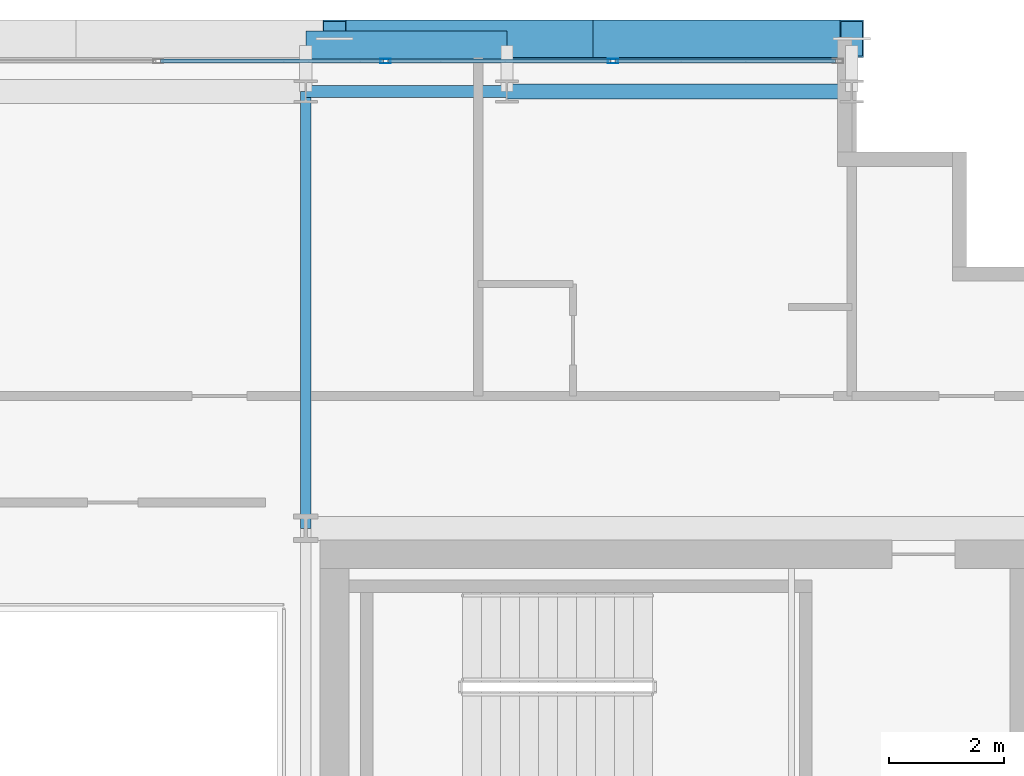
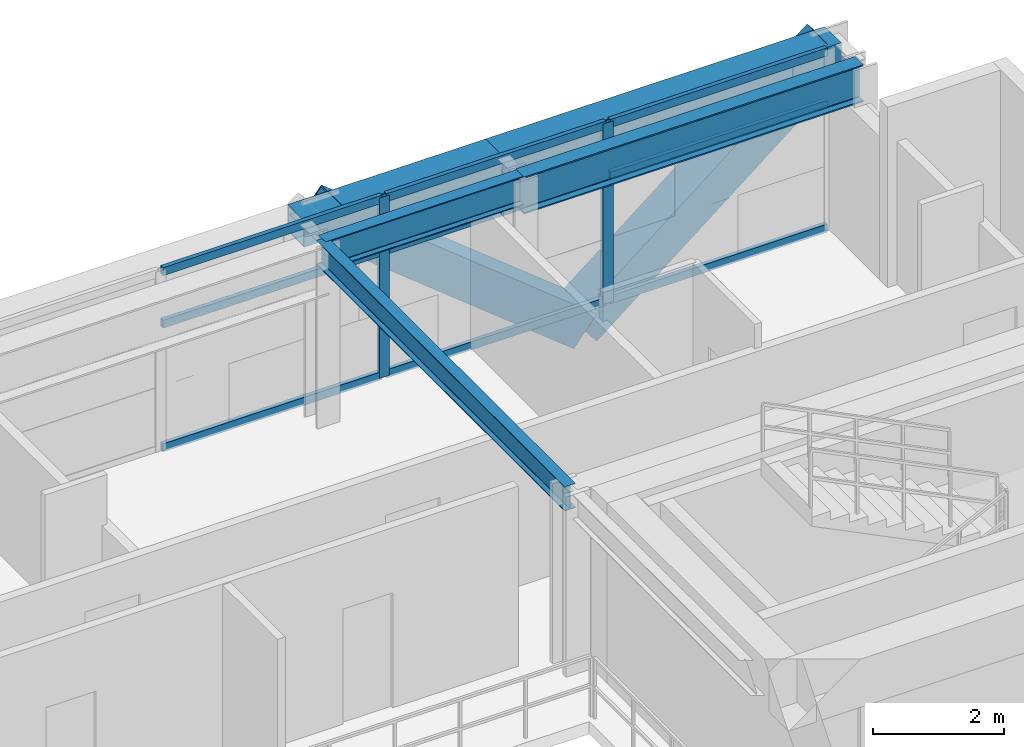
# One storey, part 18 of 32: 13 members, 5 beams, 1 element without a shape of its own.
"""IFC4 building model written with IfcOpenShell, lengths in metres."""

from ifc_helpers import new_model, si_unit, direction, frame, origin, origin_2d, place, context, subcontext, project, spatial, hollow_rectangle, i_section, extrude, source, transform, mapped, material, layer, layer_set, material_profile, profile_set, type_object, element, aggregate, save


model = new_model("IFC4")

# Units and contexts
model_context = context("Model", 3, precision=1e-05, world=origin(), true_north=direction((0.0, 1.0)))
body_context = subcontext(model_context, "Body", "Model", "MODEL_VIEW")
ifc_project = project(units=[si_unit("LENGTHUNIT", "METRE"), si_unit("AREAUNIT", "SQUARE_METRE"), si_unit("VOLUMEUNIT", "CUBIC_METRE"), si_unit("PLANEANGLEUNIT", "RADIAN"), si_unit("MASSUNIT", "GRAM", prefix="KILO")], contexts=[model_context])

# Site, building, storey
site_placement = place(None, origin())
site = spatial("IfcSite", under=ifc_project, at=site_placement, CompositionType="ELEMENT")
building_placement = place(site_placement, origin())
building = spatial("IfcBuilding", under=site, at=building_placement, Name="Ocotamira Hotel", CompositionType="ELEMENT")
storey_placement = place(building_placement, frame((0.0, 0.0, 213.60009765625)))
storey = spatial("IfcBuildingStorey", under=building, at=storey_placement, Name="L54", CompositionType="ELEMENT", Elevation=213.60009765625)

# Beams
ifc_material_1 = material(Name="Steel ASTM A992 Grade 50", Category="steel")
ifc_material_profile_1 = material_profile(ifc_material_1, i_section(OverallWidth=0.256103515625, OverallDepth=0.693115234375, WebThickness=0.014404296875, FlangeThickness=0.023681640625, FilletRadius=0.01611328125, at=origin_2d()), Name="W27X114")
ifc_profile_set_1 = profile_set([ifc_material_profile_1], Name="Steel ASTM A992 Grade 50")
beam_type_1 = type_object("IfcBeamType", Name="BM-PRIM-W27X114", PredefinedType="BEAM", material=ifc_profile_set_1)
shared_shape_1 = source(origin(), body_context, "Body", "SweptSolid", [
    extrude(i_section(OverallWidth=0.256103515625, OverallDepth=0.693115234375, WebThickness=0.014404296875, FlangeThickness=0.023681640625, FilletRadius=0.01611328125, at=origin_2d()), origin(), (0.0, 0.0, 1.0), 6.0),
])
beam_1_placement = place(storey_placement, frame((44.0, 45.050048828125, 3.0234375), z_axis=(1.0, 0.0, 0.0), x_axis=(0.0, 1.0, 0.0)))
element("IfcBeam", 1, at=beam_1_placement, inside=storey, type_object=beam_type_1, Name="L54 Girder Y45.05 X44-50", PredefinedType="BEAM", context=body_context, shape_type="MappedRepresentation", body=[
    mapped(shared_shape_1, transform((0.0, 0.0, 0.0), scale=1.0)),
])
ifc_material_profile_2 = material_profile(ifc_material_1, i_section(OverallWidth=0.2099609375, OverallDepth=0.537109375, WebThickness=0.010986328125, FlangeThickness=0.017333984375, FilletRadius=0.012939453125, at=origin_2d()), Name="W21X68")
ifc_profile_set_2 = profile_set([ifc_material_profile_2], Name="Steel ASTM A992 Grade 50")
beam_type_2 = type_object("IfcBeamType", Name="BM-SEC-W21X68", PredefinedType="JOIST", material=ifc_profile_set_2)
shared_shape_2 = source(origin(), body_context, "Body", "SweptSolid", [
    extrude(i_section(OverallWidth=0.2099609375, OverallDepth=0.537109375, WebThickness=0.010986328125, FlangeThickness=0.017333984375, FilletRadius=0.012939453125, at=origin_2d()), origin(), (0.0, 0.0, 1.0), 3.5),
])
beam_2_placement = place(storey_placement, frame((40.5, 45.050048828125, 3.101318359375), z_axis=(1.0, 0.0, 0.0), x_axis=(0.0, 1.0, 0.0)))
element("IfcBeam", 2, at=beam_2_placement, inside=storey, type_object=beam_type_2, Name="L54 Girder Y45.05 X40.5-44", PredefinedType="JOIST", context=body_context, shape_type="MappedRepresentation", body=[
    mapped(shared_shape_2, transform((0.0, 0.0, 0.0), scale=1.0)),
])
ifc_material_2 = material(Name="Steel ASTM A500 Grade C", Category="steel")
ifc_material_profile_3 = material_profile(ifc_material_2, hollow_rectangle(XDim=0.5, YDim=0.5, WallThickness=0.02001953125, at=origin_2d()), Name="HSS500X500X20")
ifc_profile_set_3 = profile_set([ifc_material_profile_3], Name="Steel ASTM A500 Grade C")
beam_type_3 = type_object("IfcBeamType", Name="BM-SPAN-HSS500", PredefinedType="USERDEFINED", material=ifc_profile_set_3)
shared_shape_3 = source(origin(), body_context, "Body", "SweptSolid", [
    extrude(hollow_rectangle(XDim=0.5, YDim=0.5, WallThickness=0.02001953125, at=origin_2d()), origin(), (0.0, 0.0, 1.0), 6.0),
])
beam_3_placement = place(storey_placement, frame((44.0, 45.85009765625, 3.119873046875), z_axis=(1.0, 0.0, 0.0), x_axis=(0.0, 1.0, 0.0)))
element("IfcBeam", 3, at=beam_3_placement, inside=storey, type_object=beam_type_3, Name="L54 Edge Spandrel N X44-50", ObjectType="SPANDREL", PredefinedType="USERDEFINED", context=body_context, shape_type="MappedRepresentation", body=[
    mapped(shared_shape_3, transform((0.0, 0.0, 0.0), scale=1.0)),
])
shared_shape_4 = source(origin(), body_context, "Body", "SweptSolid", [
    extrude(hollow_rectangle(XDim=0.5, YDim=0.5, WallThickness=0.02001953125, at=origin_2d()), origin(), (0.0, 0.0, 1.0), 3.5),
])
beam_4_placement = place(storey_placement, frame((40.5, 45.85009765625, 3.119873046875), z_axis=(1.0, 0.0, 0.0), x_axis=(0.0, 1.0, 0.0)))
element("IfcBeam", 4, at=beam_4_placement, inside=storey, type_object=beam_type_3, Name="L54 Edge Spandrel N X40.5-44", ObjectType="SPANDREL", PredefinedType="USERDEFINED", context=body_context, shape_type="MappedRepresentation", body=[
    mapped(shared_shape_4, transform((0.0, 0.0, 0.0), scale=1.0)),
])
ifc_material_profile_4 = material_profile(ifc_material_1, i_section(OverallWidth=0.18994140625, OverallDepth=0.45703125, WebThickness=0.009033203125, FlangeThickness=0.014404296875, FilletRadius=0.010009765625, at=origin_2d()), Name="W18X50")
ifc_profile_set_4 = profile_set([ifc_material_profile_4], Name="Steel ASTM A992 Grade 50")
beam_type_4 = type_object("IfcBeamType", Name="BM-SEC-W18X50", PredefinedType="JOIST", material=ifc_profile_set_4)
shared_shape_5 = source(origin(), body_context, "Body", "SweptSolid", [
    extrude(i_section(OverallWidth=0.18994140625, OverallDepth=0.45703125, WebThickness=0.009033203125, FlangeThickness=0.014404296875, FilletRadius=0.010009765625, at=origin_2d()), origin(), (0.0, 0.0, 1.0), 7.60009765625),
])
beam_5_placement = place(storey_placement, frame((40.5, 37.449951171875, 3.141357421875), z_axis=(0.0, 1.0, 0.0), x_axis=(-1.0, 0.0, 0.0)))
element("IfcBeam", 5, at=beam_5_placement, inside=storey, type_object=beam_type_4, Name="L54 Beam X40.5 Y37.45-45.05", PredefinedType="JOIST", context=body_context, shape_type="MappedRepresentation", body=[
    mapped(shared_shape_5, transform((0.0, 0.0, 0.0), scale=1.0)),
])

# Members
ifc_material_3 = material(Name="Pale-metal coated steel ASTM A913 Grade 65", Category="steel")
ifc_material_profile_5 = material_profile(ifc_material_3, hollow_rectangle(XDim=0.64990234375, YDim=0.64990234375, WallThickness=0.02197265625, at=origin_2d()), Name="BOX650X650X22")
ifc_profile_set_5 = profile_set([ifc_material_profile_5], Name="Pale-metal coated steel ASTM A913 Grade 65")
member_type_1 = type_object("IfcMemberType", Name="MEM-EXO-BOX650", PredefinedType="BRACE", material=ifc_profile_set_5)
shared_shape_6 = source(origin(), body_context, "Body", "SweptSolid", [
    extrude(hollow_rectangle(XDim=0.64990234375, YDim=0.64990234375, WallThickness=0.02197265625, at=origin_2d()), origin(), (0.0, 0.0, 1.0), 5.7626953125),
])
for number, where, z_axis, x_axis, name in (
    (6, (45.5, 45.969970703125, -0.47998046875), (-0.780881208953, 0.0, 0.624679547852), (0.0, -1.0, 0.0), "L54 Exoskeleton Diagrid N3.1"),
    (7, (45.5, 45.969970703125, -0.47998046875), (0.780881208953, 0.0, 0.624679547852), (0.0, 1.0, 0.0), "L54 Exoskeleton Diagrid N3.2"),
):
    element("IfcMember", number, at=place(storey_placement, frame(where, z_axis=z_axis, x_axis=x_axis)), inside=storey, type_object=member_type_1, Name=name, PredefinedType="BRACE", context=body_context, shape_type="MappedRepresentation", body=[
        mapped(shared_shape_6, transform((0.0, 0.0, 0.0), scale=1.0)),
    ])

# Curtain wall, members
ifc_material_4 = material(Name="Anodised pale-metal aluminium and solar glass", Category="aluminium")
ifc_layer = layer(ifc_material_4, 0.199951171875)
ifc_layer_set = layer_set([ifc_layer], Name="Anodised pale-metal aluminium and solar glass")
curtain_wall_type = type_object("IfcCurtainWallType", Name="CW-SYS4-Z3", PredefinedType="NOTDEFINED", material=ifc_layer_set)
curtain_wall_placement = place(storey_placement, origin())
curtain_wall = element("IfcCurtainWall", 8, at=curtain_wall_placement, inside=storey, type_object=curtain_wall_type, Name="L54 Curtain Wall CW-4 CW-L54-N", PredefinedType="NOTDEFINED")
ifc_material_5 = material(Name="Anodised pale-metal aluminium 6063-T6", Category="aluminium")
ifc_material_profile_6 = material_profile(ifc_material_5, hollow_rectangle(XDim=0.074951171875, YDim=0.14990234375, WallThickness=0.006103515625, at=origin_2d()), Name="HSS150X75X6")
ifc_profile_set_6 = profile_set([ifc_material_profile_6], Name="Anodised pale-metal aluminium 6063-T6")
member_type_2 = type_object("IfcMemberType", Name="CWT-150X75", PredefinedType="USERDEFINED", material=ifc_profile_set_6)
shared_shape_7 = source(origin(), body_context, "Body", "SweptSolid", [
    extrude(hollow_rectangle(XDim=0.074951171875, YDim=0.14990234375, WallThickness=0.006103515625, at=origin_2d()), origin(), (0.0, 0.0, 1.0), 3.83544921875),
])
member_1_placement = place(storey_placement, frame((45.884521484375, 45.580078125, 0.037353515625), z_axis=(1.0, 0.0, 0.0), x_axis=(0.0, 1.0, 0.0)))
member_1 = element("IfcMember", 9, at=member_1_placement, type_object=member_type_2, Name="CW-4 transom 9.1", ObjectType="TRANSOM", PredefinedType="USERDEFINED", context=body_context, shape_type="MappedRepresentation", body=[
    mapped(shared_shape_7, transform((0.0, 0.0, 0.0), scale=1.0)),
])
member_2_placement = place(storey_placement, frame((45.884521484375, 45.580078125, 2.349853515625), z_axis=(1.0, 0.0, 0.0), x_axis=(0.0, 1.0, 0.0)))
member_2 = element("IfcMember", 10, at=member_2_placement, type_object=member_type_2, Name="CW-4 transom 9.2", ObjectType="TRANSOM", PredefinedType="USERDEFINED", context=body_context, shape_type="MappedRepresentation", body=[
    mapped(shared_shape_7, transform((0.0, 0.0, 0.0), scale=1.0)),
])
member_3_placement = place(storey_placement, frame((45.884521484375, 45.580078125, 3.33251953125), z_axis=(1.0, 0.0, 0.0), x_axis=(0.0, 1.0, 0.0)))
member_3 = element("IfcMember", 11, at=member_3_placement, type_object=member_type_2, Name="CW-4 transom 9.3", ObjectType="TRANSOM", PredefinedType="USERDEFINED", context=body_context, shape_type="MappedRepresentation", body=[
    mapped(shared_shape_7, transform((0.0, 0.0, 0.0), scale=1.0)),
])
shared_shape_8 = source(origin(), body_context, "Body", "SweptSolid", [
    extrude(hollow_rectangle(XDim=0.074951171875, YDim=0.14990234375, WallThickness=0.006103515625, at=origin_2d()), origin(), (0.0, 0.0, 1.0), 3.87548828125),
])
member_4_placement = place(storey_placement, frame((37.973388671875, 45.580078125, 0.037353515625), z_axis=(1.0, 0.0, 0.0), x_axis=(0.0, 1.0, 0.0)))
member_4 = element("IfcMember", 12, at=member_4_placement, type_object=member_type_2, Name="CW-4 transom 7.1", ObjectType="TRANSOM", PredefinedType="USERDEFINED", context=body_context, shape_type="MappedRepresentation", body=[
    mapped(shared_shape_8, transform((0.0, 0.0, 0.0), scale=1.0)),
])
member_5_placement = place(storey_placement, frame((37.973388671875, 45.580078125, 2.349853515625), z_axis=(1.0, 0.0, 0.0), x_axis=(0.0, 1.0, 0.0)))
member_5 = element("IfcMember", 13, at=member_5_placement, type_object=member_type_2, Name="CW-4 transom 7.2", ObjectType="TRANSOM", PredefinedType="USERDEFINED", context=body_context, shape_type="MappedRepresentation", body=[
    mapped(shared_shape_8, transform((0.0, 0.0, 0.0), scale=1.0)),
])
member_6_placement = place(storey_placement, frame((37.973388671875, 45.580078125, 3.33251953125), z_axis=(1.0, 0.0, 0.0), x_axis=(0.0, 1.0, 0.0)))
member_6 = element("IfcMember", 14, at=member_6_placement, type_object=member_type_2, Name="CW-4 transom 7.3", ObjectType="TRANSOM", PredefinedType="USERDEFINED", context=body_context, shape_type="MappedRepresentation", body=[
    mapped(shared_shape_8, transform((0.0, 0.0, 0.0), scale=1.0)),
])
member_7_placement = place(storey_placement, frame((41.928955078125, 45.580078125, 0.037353515625), z_axis=(1.0, 0.0, 0.0), x_axis=(0.0, 1.0, 0.0)))
member_7 = element("IfcMember", 15, at=member_7_placement, type_object=member_type_2, Name="CW-4 transom 8.1", ObjectType="TRANSOM", PredefinedType="USERDEFINED", context=body_context, shape_type="MappedRepresentation", body=[
    mapped(shared_shape_8, transform((0.0, 0.0, 0.0), scale=1.0)),
])
member_8_placement = place(storey_placement, frame((41.928955078125, 45.580078125, 2.349853515625), z_axis=(1.0, 0.0, 0.0), x_axis=(0.0, 1.0, 0.0)))
member_8 = element("IfcMember", 16, at=member_8_placement, type_object=member_type_2, Name="CW-4 transom 8.2", ObjectType="TRANSOM", PredefinedType="USERDEFINED", context=body_context, shape_type="MappedRepresentation", body=[
    mapped(shared_shape_8, transform((0.0, 0.0, 0.0), scale=1.0)),
])
member_9_placement = place(storey_placement, frame((41.928955078125, 45.580078125, 3.33251953125), z_axis=(1.0, 0.0, 0.0), x_axis=(0.0, 1.0, 0.0)))
member_9 = element("IfcMember", 17, at=member_9_placement, type_object=member_type_2, Name="CW-4 transom 8.3", ObjectType="TRANSOM", PredefinedType="USERDEFINED", context=body_context, shape_type="MappedRepresentation", body=[
    mapped(shared_shape_8, transform((0.0, 0.0, 0.0), scale=1.0)),
])
ifc_material_profile_7 = material_profile(ifc_material_5, hollow_rectangle(XDim=0.080078125, YDim=0.179931640625, WallThickness=0.006103515625, at=origin_2d()), Name="HSS180X80X6")
ifc_profile_set_7 = profile_set([ifc_material_profile_7], Name="Anodised pale-metal aluminium 6063-T6")
member_type_3 = type_object("IfcMemberType", Name="CWM-180X75", PredefinedType="MULLION", material=ifc_profile_set_7)
shared_shape_9 = source(origin(), body_context, "Body", "SweptSolid", [
    extrude(hollow_rectangle(XDim=0.080078125, YDim=0.179931640625, WallThickness=0.006103515625, at=origin_2d()), origin(), (0.0, 0.0, 1.0), 3.369873046875),
])
member_10_placement = place(storey_placement, frame((41.888916015625, 45.580078125, 0.0), z_axis=(0.0, 0.0, 1.0), x_axis=(0.0, 1.0, 0.0)))
member_10 = element("IfcMember", 18, at=member_10_placement, type_object=member_type_3, Name="CW-4 mullion 8", PredefinedType="MULLION", context=body_context, shape_type="MappedRepresentation", body=[
    mapped(shared_shape_9, transform((0.0, 0.0, 0.0), scale=1.0)),
])
member_11_placement = place(storey_placement, frame((45.844482421875, 45.580078125, 0.0), z_axis=(0.0, 0.0, 1.0), x_axis=(0.0, 1.0, 0.0)))
member_11 = element("IfcMember", 19, at=member_11_placement, type_object=member_type_3, Name="CW-4 mullion 9", PredefinedType="MULLION", context=body_context, shape_type="MappedRepresentation", body=[
    mapped(shared_shape_9, transform((0.0, 0.0, 0.0), scale=1.0)),
])
aggregate(curtain_wall, [member_10, member_11, member_4, member_5, member_6, member_7, member_8, member_9, member_1, member_2, member_3])

save(model, "model.ifc")
